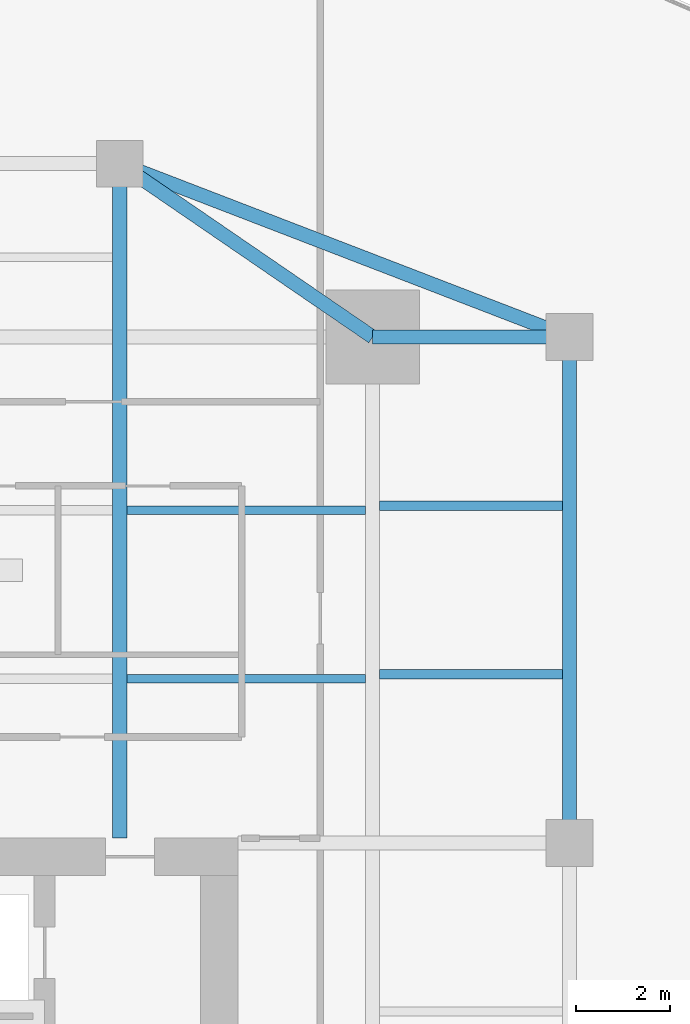
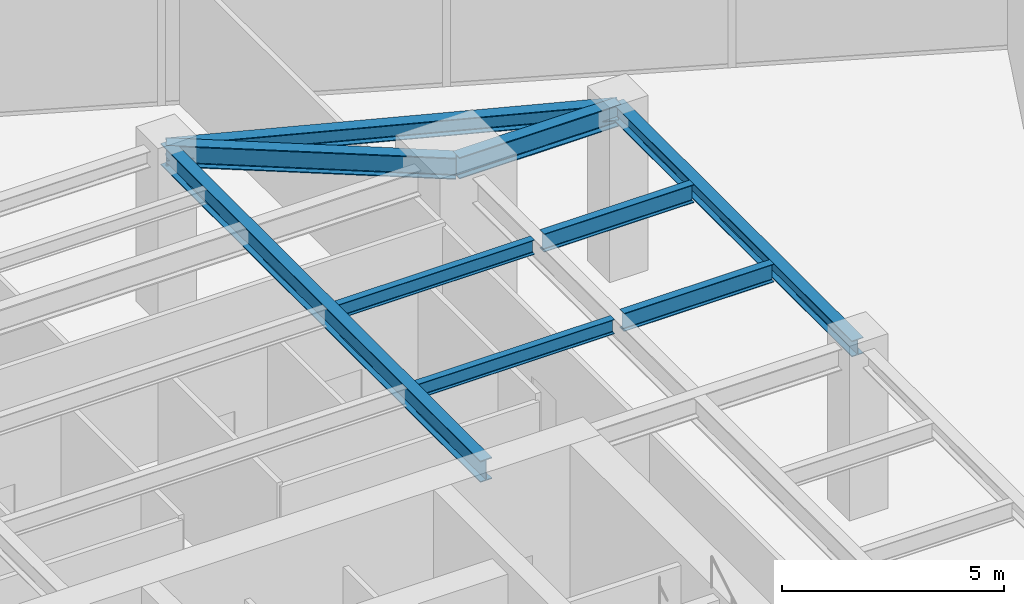
# One storey, part 16 of 24: 9 beams.
"""IFC4 building model written with IfcOpenShell, lengths in metres."""

from ifc_helpers import new_model, si_unit, direction, frame, origin, origin_2d, place, context, subcontext, project, spatial, i_section, extrude, source, transform, mapped, material, material_profile, profile_set, type_object, type_shapes, element, save


model = new_model("IFC4")

# Units and contexts
model_context = context("Model", 3, precision=1e-05, world=origin(), true_north=direction((0.0, 1.0)))
body_context = subcontext(model_context, "Body", "Model", "MODEL_VIEW")
ifc_project = project(units=[si_unit("LENGTHUNIT", "METRE"), si_unit("AREAUNIT", "SQUARE_METRE"), si_unit("VOLUMEUNIT", "CUBIC_METRE"), si_unit("PLANEANGLEUNIT", "RADIAN"), si_unit("MASSUNIT", "GRAM", prefix="KILO")], contexts=[model_context])

# Site, building, storey
site_placement = place(None, origin())
site = spatial("IfcSite", under=ifc_project, at=site_placement, CompositionType="ELEMENT")
building_placement = place(site_placement, origin())
building = spatial("IfcBuilding", under=site, at=building_placement, Name="Krantzveldt Concourse Tower", CompositionType="ELEMENT")
storey_placement = place(building_placement, frame((0.0, 0.0, 141.39990234375)))
storey = spatial("IfcBuildingStorey", under=building, at=storey_placement, Name="L34", CompositionType="ELEMENT", Elevation=141.39990234375)

# Beams
ifc_material = material(Name="Steel S355JR", Category="steel")
ifc_material_profile_1 = material_profile(ifc_material, i_section(OverallWidth=0.300048828125, OverallDepth=0.590087890625, WebThickness=0.012939453125, FlangeThickness=0.02490234375, FilletRadius=0.027099609375, at=origin_2d()), Name="Steel S355JR", Category="steel")
ifc_profile_set_1 = profile_set([ifc_material_profile_1], Name="Steel S355JR - HEA 600")
beam_type_1 = type_object("IfcBeamType", Name="BM-B-HEA600", PredefinedType="BEAM", material=ifc_profile_set_1)
shared_shape_1 = source(origin(), body_context, "Body", "SweptSolid", [
    extrude(i_section(OverallWidth=0.300048828125, OverallDepth=0.590087890625, WebThickness=0.012939453125, FlangeThickness=0.02490234375, FilletRadius=0.027099609375, at=origin_2d()), origin(), (0.0, 0.0, 1.0), 14.39990234375),
])
beam_1_placement = place(storey_placement, frame((41.39990234375, 26.800048828125, 4.22509765625), z_axis=(0.0, 1.0, 0.0), x_axis=(-1.0, 0.0, 0.0)))
element("IfcBeam", 1, at=beam_1_placement, inside=storey, type_object=beam_type_1, Name="L34 Tower Girder BG-CNE", PredefinedType="BEAM", context=body_context, shape_type="MappedRepresentation", body=[
    mapped(shared_shape_1, transform((0.0, 0.0, 0.0), x_axis=(1.0, 0.0, 0.0), y_axis=(0.0, 1.0, 0.0), z_axis=(0.0, 0.0, 1.0), scale=1.0)),
])
ifc_material_profile_2 = material_profile(ifc_material, i_section(OverallWidth=0.300048828125, OverallDepth=0.43994140625, WebThickness=0.011474609375, FlangeThickness=0.02099609375, FilletRadius=0.027099609375, at=origin_2d()), Name="Steel S355JR", Category="steel")
ifc_profile_set_2 = profile_set([ifc_material_profile_2], Name="Steel S355JR - HEA 450")
beam_type_2 = type_object("IfcBeamType", Name="BM-SP-HEA450", PredefinedType="SPANDREL", material=ifc_profile_set_2)
shared_shape_2 = source(origin(), body_context, "Body", "SweptSolid", [
    extrude(i_section(OverallWidth=0.300048828125, OverallDepth=0.43994140625, WebThickness=0.011474609375, FlangeThickness=0.02099609375, FilletRadius=0.027099609375, at=origin_2d()), origin(), (0.0, 0.0, 1.0), 10.800048828125),
])
beam_2_placement = place(storey_placement, frame((51.0, 37.5, 4.300048828125), z_axis=(0.0, -1.0, 0.0), x_axis=(1.0, 0.0, 0.0)))
element("IfcBeam", 2, at=beam_2_placement, inside=storey, type_object=beam_type_2, Name="L34 Tower Girder SP-R06", PredefinedType="SPANDREL", context=body_context, shape_type="MappedRepresentation", body=[
    mapped(shared_shape_2, transform((0.0, 0.0, 0.0), x_axis=(1.0, 0.0, 0.0), y_axis=(0.0, 1.0, 0.0), z_axis=(0.0, 0.0, 1.0), scale=1.0)),
])
shared_shape_3 = source(origin(), body_context, "Body", "SweptSolid", [
    extrude(i_section(OverallWidth=0.300048828125, OverallDepth=0.43994140625, WebThickness=0.011474609375, FlangeThickness=0.02099609375, FilletRadius=0.027099609375, at=origin_2d()), origin(), (0.0, 0.0, 1.0), 10.288330078125),
])
type_shapes(beam_type_2, [shared_shape_2, shared_shape_3])
beam_3_placement = place(storey_placement, frame((41.39990234375, 41.199951171875, 4.300048828125), z_axis=(0.933097690408, -0.359622997257, 0.0), x_axis=(0.359622997257, 0.933097690408, 0.0)))
element("IfcBeam", 3, at=beam_3_placement, inside=storey, type_object=beam_type_2, Name="L34 Tower Girder SP-R05", PredefinedType="SPANDREL", context=body_context, shape_type="MappedRepresentation", body=[
    mapped(shared_shape_3, transform((0.0, 0.0, 0.0), x_axis=(1.0, 0.0, 0.0), y_axis=(0.0, 1.0, 0.0), z_axis=(0.0, 0.0, 1.0), scale=1.0)),
])
shared_shape_4 = source(origin(), body_context, "Body", "SweptSolid", [
    extrude(i_section(OverallWidth=0.300048828125, OverallDepth=0.590087890625, WebThickness=0.012939453125, FlangeThickness=0.02490234375, FilletRadius=0.027099609375, at=origin_2d()), origin(), (0.0, 0.0, 1.0), 4.199951171875),
])
beam_4_placement = place(storey_placement, frame((46.800048828125, 37.5, 4.22509765625), z_axis=(1.0, 0.0, 0.0), x_axis=(0.0, 1.0, 0.0)))
element("IfcBeam", 4, at=beam_4_placement, inside=storey, type_object=beam_type_1, Name="L34 Tower Girder BR-RR3", PredefinedType="BEAM", context=body_context, shape_type="MappedRepresentation", body=[
    mapped(shared_shape_4, transform((0.0, 0.0, 0.0), x_axis=(1.0, 0.0, 0.0), y_axis=(0.0, 1.0, 0.0), z_axis=(0.0, 0.0, 1.0), scale=1.0)),
])
shared_shape_5 = source(origin(), body_context, "Body", "SweptSolid", [
    extrude(i_section(OverallWidth=0.300048828125, OverallDepth=0.590087890625, WebThickness=0.012939453125, FlangeThickness=0.02490234375, FilletRadius=0.027099609375, at=origin_2d()), origin(), (0.0, 0.0, 1.0), 6.546142578125),
])
type_shapes(beam_type_1, [shared_shape_1, shared_shape_4, shared_shape_5])
beam_5_placement = place(storey_placement, frame((46.800048828125, 37.5, 4.22509765625), z_axis=(-0.824942999484, 0.565215930068, 0.0), x_axis=(-0.565215930068, -0.824942999484, 0.0)))
element("IfcBeam", 5, at=beam_5_placement, inside=storey, type_object=beam_type_1, Name="L34 Tower Girder BR-RR4", PredefinedType="BEAM", context=body_context, shape_type="MappedRepresentation", body=[
    mapped(shared_shape_5, transform((0.0, 0.0, 0.0), x_axis=(1.0, 0.0, 0.0), y_axis=(0.0, 1.0, 0.0), z_axis=(0.0, 0.0, 1.0), scale=1.0)),
])
ifc_material_profile_3 = material_profile(ifc_material, i_section(OverallWidth=0.179931640625, OverallDepth=0.39990234375, WebThickness=0.008544921875, FlangeThickness=0.013427734375, FilletRadius=0.02099609375, at=origin_2d()), Name="Steel S355JR", Category="steel")
ifc_profile_set_3 = profile_set([ifc_material_profile_3], Name="Steel S355JR - IPE 400")
beam_type_3 = type_object("IfcBeamType", Name="BM-J-IPE400", PredefinedType="JOIST", material=ifc_profile_set_3)
shared_shape_6 = source(origin(), body_context, "Body", "SweptSolid", [
    extrude(i_section(OverallWidth=0.179931640625, OverallDepth=0.39990234375, WebThickness=0.008544921875, FlangeThickness=0.013427734375, FilletRadius=0.02099609375, at=origin_2d()), origin(), (0.0, 0.0, 1.0), 5.099853515625),
])
type_shapes(beam_type_3, [shared_shape_6])
for number, where, z_axis, x_axis, name in (
    (6, (41.550048828125, 30.199951171875, 4.320068359375), (1.0, 0.0, 0.0), (0.0, 1.0, 0.0), "L34 Secondary Floor Joist JN-E1"),
    (7, (41.550048828125, 33.800048828125, 4.320068359375), (1.0, 0.0, 0.0), (0.0, 1.0, 0.0), "L34 Secondary Floor Joist JN-E2"),
):
    element("IfcBeam", number, at=place(storey_placement, frame(where, z_axis=z_axis, x_axis=x_axis)), inside=storey, type_object=beam_type_3, Name=name, PredefinedType="JOIST", context=body_context, shape_type="MappedRepresentation", body=[
        mapped(shared_shape_6, transform((0.0, 0.0, 0.0), x_axis=(1.0, 0.0, 0.0), y_axis=(0.0, 1.0, 0.0), z_axis=(0.0, 0.0, 1.0), scale=1.0)),
    ])
ifc_material_profile_4 = material_profile(ifc_material, i_section(OverallWidth=0.199951171875, OverallDepth=0.5, WebThickness=0.01025390625, FlangeThickness=0.01611328125, FilletRadius=0.02099609375, at=origin_2d()), Name="Steel S355JR", Category="steel")
ifc_profile_set_4 = profile_set([ifc_material_profile_4], Name="Steel S355JR - IPE 500")
beam_type_4 = type_object("IfcBeamType", Name="BM-J-IPE500", PredefinedType="JOIST", material=ifc_profile_set_4)
shared_shape_7 = source(origin(), body_context, "Body", "SweptSolid", [
    extrude(i_section(OverallWidth=0.199951171875, OverallDepth=0.5, WebThickness=0.01025390625, FlangeThickness=0.01611328125, FilletRadius=0.02099609375, at=origin_2d()), origin(), (0.0, 0.0, 1.0), 3.900146484375),
])
type_shapes(beam_type_4, [shared_shape_7])
for number, where, z_axis, x_axis, name in (
    (8, (46.949951171875, 30.300048828125, 4.27001953125), (1.0, 0.0, 0.0), (0.0, 1.0, 0.0), "L34 Secondary Floor Joist JE-3"),
    (9, (46.949951171875, 33.89990234375, 4.27001953125), (1.0, 0.0, 0.0), (0.0, 1.0, 0.0), "L34 Secondary Floor Joist JE-4"),
):
    element("IfcBeam", number, at=place(storey_placement, frame(where, z_axis=z_axis, x_axis=x_axis)), inside=storey, type_object=beam_type_4, Name=name, PredefinedType="JOIST", context=body_context, shape_type="MappedRepresentation", body=[
        mapped(shared_shape_7, transform((0.0, 0.0, 0.0), x_axis=(1.0, 0.0, 0.0), y_axis=(0.0, 1.0, 0.0), z_axis=(0.0, 0.0, 1.0), scale=1.0)),
    ])

save(model, "model.ifc")
